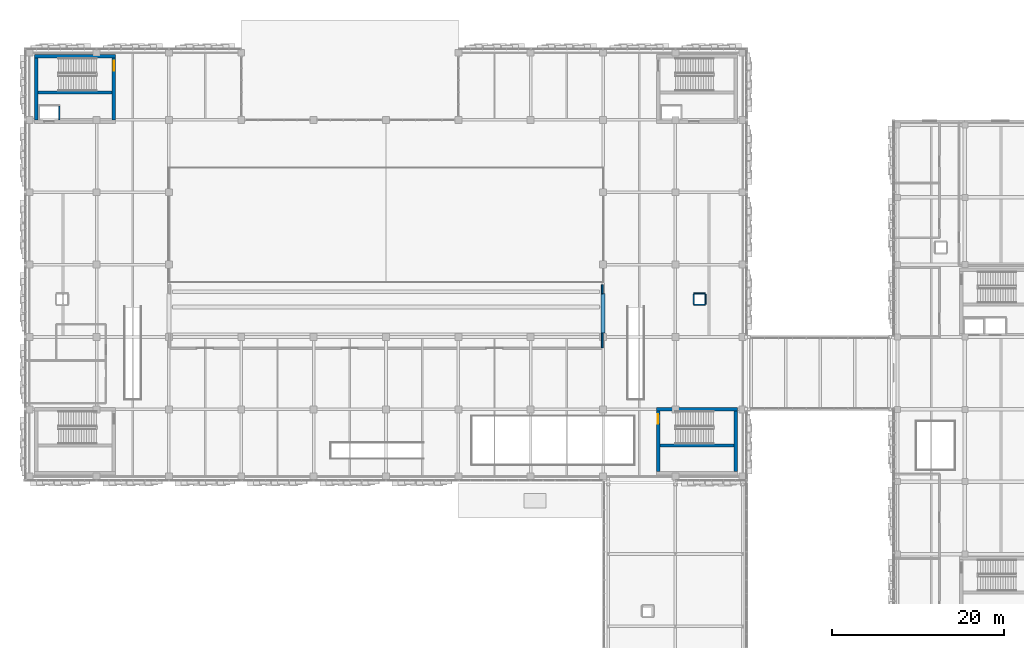
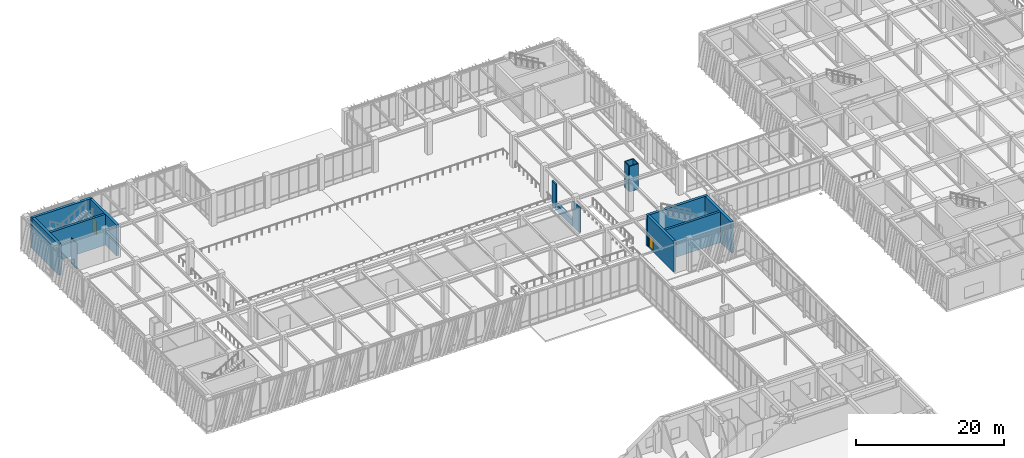
# One storey, part 113 of 139: 16 walls, 2 doors, 2 openings.
"""IFC4 building model written with IfcOpenShell, lengths in metres."""

from ifc_helpers import new_model, si_unit, direction, frame, frame_2d, origin, place, context, subcontext, project, spatial, rectangle, extrude, material, layer, layer_set, type_object, element, fill, save


model = new_model("IFC4")

# Units and contexts
model_context = context("Model", 3, precision=1e-05, world=origin(), true_north=direction((0.0, 1.0)))
body_context = subcontext(model_context, "Body", "Model", "MODEL_VIEW")
ifc_project = project(units=[si_unit("LENGTHUNIT", "METRE"), si_unit("AREAUNIT", "SQUARE_METRE"), si_unit("VOLUMEUNIT", "CUBIC_METRE"), si_unit("PLANEANGLEUNIT", "RADIAN"), si_unit("MASSUNIT", "GRAM", prefix="KILO")], contexts=[model_context])

# Site, building, storey
site_placement = place(None, origin())
site = spatial("IfcSite", under=ifc_project, at=site_placement, CompositionType="ELEMENT")
building_placement = place(site_placement, origin())
building = spatial("IfcBuilding", under=site, at=building_placement, Name="Zayran Congress Hotel", CompositionType="ELEMENT")
storey_placement = place(building_placement, frame((0.0, 0.0, 5.39990234375)))
storey = spatial("IfcBuildingStorey", under=building, at=storey_placement, Name="L01", CompositionType="ELEMENT", Elevation=5.39990234375)

# Walls
ifc_material_1 = material(Name="Concrete C32/40", Category="concrete")
ifc_layer_1 = layer(ifc_material_1, 0.449951171875)
ifc_layer_set_1 = layer_set([ifc_layer_1], Name="Concrete C32/40")
wall_type_1 = type_object("IfcWallType", Name="WL-RT-450", PredefinedType="USERDEFINED", material=ifc_layer_set_1)
wall_1_placement = place(storey_placement, frame((75.60009765625, 84.85009765625, 0.0), z_axis=(0.0, 0.0, 1.0), x_axis=(0.0, 1.0, 0.0)))
element("IfcWall", 1, at=wall_1_placement, inside=storey, type_object=wall_type_1, Name="RKWALL-L01-BAL-SIDE-E", ObjectType="RETAININGWALL", PredefinedType="USERDEFINED", context=body_context, shape_type="SweptSolid", body=[
    extrude(rectangle(XDim=4.56982421875, YDim=0.449951171875, at=frame_2d((2.284912109375, 0.0))), origin(), (0.0, 0.0, 1.0), 1.02001953125),
])
ifc_material_2 = material(Name="Concrete C40/50", Category="concrete")
ifc_layer_2 = layer(ifc_material_2, 0.39990234375)
ifc_layer_set_2 = layer_set([ifc_layer_2], Name="Concrete C40/50")
wall_type_2 = type_object("IfcWallType", Name="WL-SH-400", PredefinedType="SHEAR", material=ifc_layer_set_2)
wall_2_placement = place(storey_placement, frame((19.0, 116.985107421875, 0.0), z_axis=(0.0, 0.0, 1.0), x_axis=(-1.0, 0.0, 0.0)))
element("IfcWall", 2, at=wall_2_placement, inside=storey, type_object=wall_type_2, Name="CWALL-C-V1W-L01-N", PredefinedType="SHEAR", context=body_context, shape_type="SweptSolid", body=[
    extrude(rectangle(XDim=9.39990234375, YDim=0.39990234375, at=frame_2d((4.699951171875, 0.0))), origin(), (0.0, 0.0, 1.0), 5.080078125),
])
wall_3_placement = place(storey_placement, frame((9.800048828125, 116.800048828125, 0.0), z_axis=(0.0, 0.0, 1.0), x_axis=(0.0, -1.0, 0.0)))
element("IfcWall", 3, at=wall_3_placement, inside=storey, type_object=wall_type_2, Name="CWALL-C-V1W-L01-W", PredefinedType="SHEAR", context=body_context, shape_type="SweptSolid", body=[
    extrude(rectangle(XDim=7.199951171875, YDim=0.39990234375, at=frame_2d((3.60009765625, 0.0))), origin(), (0.0, 0.0, 1.0), 5.080078125),
])

# Wall, opening, door
wall_4_placement = place(storey_placement, frame((18.800048828125, 109.60009765625, 0.0), z_axis=(0.0, 0.0, 1.0), x_axis=(0.0, 1.0, 0.0)))
wall_4 = element("IfcWall", 4, at=wall_4_placement, inside=storey, type_object=wall_type_2, Name="CWALL-C-V1W-L01-E", PredefinedType="SHEAR", context=body_context, shape_type="SweptSolid", body=[
    extrude(rectangle(XDim=7.199951171875, YDim=0.39990234375, at=frame_2d((3.60009765625, 0.0))), origin(), (0.0, 0.0, 1.0), 5.080078125),
])
opening_1_placement = place(wall_4_placement, frame((5.699951171875, 0.0, 0.0)))
opening_1 = element("IfcOpeningElement", 5, at=opening_1_placement, cuts=wall_4, Name="Opening DR-FD-90", PredefinedType="OPENING", context=body_context, shape_type="SweptSolid", body=[
    extrude(rectangle(XDim=1.14990234375, YDim=2.199951171875, at=frame_2d((0.574951171875, 1.10009765625))), frame((0.0, 0.2099609375, 0.0), z_axis=(0.0, -1.0, 0.0), x_axis=(1.0, 0.0, 0.0)), (0.0, 0.0, 1.0), 0.419921875),
])
ifc_material_3 = material(Name="Painted steel fire door assembly", Category="steel")
door_type = type_object("IfcDoorType", Name="TP-DR-FD-90", OperationType="NOTDEFINED", PredefinedType="DOOR", material=ifc_material_3)
door_1_placement = place(opening_1_placement, origin())
door_1 = element("IfcDoor", 6, at=door_1_placement, inside=storey, type_object=door_type, Name="ST-03 Exit Stair Door L01", OperationType="SINGLE_SWING_RIGHT", OverallHeight=2.199951171875, OverallWidth=1.14990234375, PredefinedType="DOOR", context=body_context, shape_type="SweptSolid", body=[
    extrude(rectangle(XDim=1.14990234375, YDim=2.199951171875, at=frame_2d((0.574951171875, 1.10009765625))), frame((0.0, 0.02490234375, 0.0), z_axis=(0.0, -1.0, 0.0), x_axis=(1.0, 0.0, 0.0)), (0.0, 0.0, 1.0), 0.050048828125),
])
fill(opening_1, door_1)

# Wall
wall_5_placement = place(storey_placement, frame((91.199951171875, 75.985107421875, 0.0), z_axis=(0.0, 0.0, 1.0), x_axis=(-1.0, 0.0, 0.0)))
element("IfcWall", 7, at=wall_5_placement, inside=storey, type_object=wall_type_2, Name="CWALL-C-V1F-L01-N", PredefinedType="SHEAR", context=body_context, shape_type="SweptSolid", body=[
    extrude(rectangle(XDim=9.39990234375, YDim=0.39990234375, at=frame_2d((4.699951171875, 0.0))), origin(), (0.0, 0.0, 1.0), 5.080078125),
])

# Wall, opening, door
wall_6_placement = place(storey_placement, frame((82.0, 75.800048828125, 0.0), z_axis=(0.0, 0.0, 1.0), x_axis=(0.0, -1.0, 0.0)))
wall_6 = element("IfcWall", 8, at=wall_6_placement, inside=storey, type_object=wall_type_2, Name="CWALL-C-V1F-L01-W", PredefinedType="SHEAR", context=body_context, shape_type="SweptSolid", body=[
    extrude(rectangle(XDim=7.0, YDim=0.39990234375, at=frame_2d((3.5, 0.0))), origin(), (0.0, 0.0, 1.0), 5.080078125),
])
opening_2_placement = place(wall_6_placement, frame((0.35009765625, 0.0, 0.0)))
opening_2 = element("IfcOpeningElement", 9, at=opening_2_placement, cuts=wall_6, Name="Opening DR-FD-90", PredefinedType="OPENING", context=body_context, shape_type="SweptSolid", body=[
    extrude(rectangle(XDim=1.14990234375, YDim=2.199951171875, at=frame_2d((0.574951171875, 1.10009765625))), frame((0.0, 0.2099609375, 0.0), z_axis=(0.0, -1.0, 0.0), x_axis=(1.0, 0.0, 0.0)), (0.0, 0.0, 1.0), 0.419921875),
])
door_2_placement = place(opening_2_placement, origin())
door_2 = element("IfcDoor", 10, at=door_2_placement, inside=storey, type_object=door_type, Name="ST-06 Exit Stair Door L01", OperationType="SINGLE_SWING_LEFT", OverallHeight=2.199951171875, OverallWidth=1.14990234375, PredefinedType="DOOR", context=body_context, shape_type="SweptSolid", body=[
    extrude(rectangle(XDim=1.14990234375, YDim=2.199951171875, at=frame_2d((0.574951171875, 1.10009765625))), frame((0.0, 0.02490234375, 0.0), z_axis=(0.0, -1.0, 0.0), x_axis=(1.0, 0.0, 0.0)), (0.0, 0.0, 1.0), 0.050048828125),
])
fill(opening_2, door_2)

# Walls
wall_7_placement = place(storey_placement, frame((91.0, 68.800048828125, 0.0), z_axis=(0.0, 0.0, 1.0), x_axis=(0.0, 1.0, 0.0)))
element("IfcWall", 11, at=wall_7_placement, inside=storey, type_object=wall_type_2, Name="CWALL-C-V1F-L01-E", PredefinedType="SHEAR", context=body_context, shape_type="SweptSolid", body=[
    extrude(rectangle(XDim=7.0, YDim=0.39990234375, at=frame_2d((3.5, 0.0))), origin(), (0.0, 0.0, 1.0), 5.080078125),
])
ifc_layer_3 = layer(ifc_material_2, 0.35009765625)
ifc_layer_set_3 = layer_set([ifc_layer_3], Name="Concrete C40/50")
wall_type_3 = type_object("IfcWallType", Name="WL-SH-350", PredefinedType="SHEAR", material=ifc_layer_set_3)
for number, where, z_axis, x_axis, name in (
    (12, (10.0, 112.784912109375, 0.0), (0.0, 0.0, 1.0), (1.0, 0.0, 0.0), "CWALL-C-V1W-L01-SPN"),
    (13, (82.199951171875, 71.784912109375, 0.0), (0.0, 0.0, 1.0), (1.0, 0.0, 0.0), "CWALL-C-V1F-L01-SPN"),
):
    element("IfcWall", number, at=place(storey_placement, frame(where, z_axis=z_axis, x_axis=x_axis)), inside=storey, type_object=wall_type_3, Name=name, PredefinedType="SHEAR", context=body_context, shape_type="SweptSolid", body=[
        extrude(rectangle(XDim=8.60009765625, YDim=0.35009765625, at=frame_2d((4.300048828125, 0.0))), origin(), (0.0, 0.0, 1.0), 5.080078125),
    ])
ifc_material_4 = material(Name="Concrete C32/40 acoustic masonry", Category="masonry")
ifc_layer_4 = layer(ifc_material_4, 0.199951171875)
ifc_layer_set_4 = layer_set([ifc_layer_4], Name="Concrete C32/40 acoustic masonry")
wall_type_4 = type_object("IfcWallType", Name="WL-SL-200", PredefinedType="SOLIDWALL", material=ifc_layer_set_4)
wall_8_placement = place(storey_placement, frame((75.5, 83.1201171875, 0.0), z_axis=(0.0, 0.0, 1.0), x_axis=(0.0, 1.0, 0.0)))
element("IfcWall", 14, at=wall_8_placement, inside=storey, type_object=wall_type_4, Name="IW-L01-1694", PredefinedType="SOLIDWALL", context=body_context, shape_type="SweptSolid", body=[
    extrude(rectangle(XDim=1.72998046875, YDim=0.199951171875, at=frame_2d((0.864990234375, 0.0))), origin(), (0.0, 0.0, 1.0), 4.18017578125),
])
wall_9_placement = place(storey_placement, frame((75.5, 89.419921875, 0.0), z_axis=(0.0, 0.0, 1.0), x_axis=(0.0, 1.0, 0.0)))
element("IfcWall", 15, at=wall_9_placement, inside=storey, type_object=wall_type_4, Name="IW-L01-1695", PredefinedType="SOLIDWALL", context=body_context, shape_type="SweptSolid", body=[
    extrude(rectangle(XDim=1.06005859375, YDim=0.199951171875, at=frame_2d((0.530029296875, 0.0))), origin(), (0.0, 0.0, 1.0), 4.18017578125),
])
ifc_material_5 = material(Name="Hospitality guestroom acoustic partition", Category="gypsum")
ifc_layer_5 = layer(ifc_material_5, 0.139892578125)
ifc_layer_set_5 = layer_set([ifc_layer_5], Name="Hospitality guestroom acoustic partition")
wall_type_5 = type_object("IfcWallType", Name="WL-PT-140", PredefinedType="PARTITIONING", material=ifc_layer_set_5)
wall_10_placement = place(storey_placement, frame((12.469970703125, 109.60009765625, 0.0), z_axis=(0.0, 0.0, 1.0), x_axis=(0.0, 1.0, 0.0)))
element("IfcWall", 16, at=wall_10_placement, inside=storey, type_object=wall_type_5, Name="LSHW-C-V1W-L01-E", PredefinedType="PARTITIONING", context=body_context, shape_type="SweptSolid", body=[
    extrude(rectangle(XDim=1.599853515625, YDim=0.139892578125, at=frame_2d((0.7998046875, 0.0))), origin(), (0.0, 0.0, 1.0), 4.22998046875),
])
for number, where, z_axis, x_axis, name in (
    (17, (86.1298828125, 88.1298828125, 0.0), (0.0, 0.0, 1.0), (1.0, 0.0, 0.0), "RSWL-V1-L01-004-S"),
    (18, (87.489990234375, 89.449951171875, 0.0), (0.0, 0.0, 1.0), (-1.0, 0.0, 0.0), "RSWL-V1-L01-004-N"),
):
    element("IfcWall", number, at=place(storey_placement, frame(where, z_axis=z_axis, x_axis=x_axis)), inside=storey, type_object=wall_type_5, Name=name, PredefinedType="PARTITIONING", context=body_context, shape_type="SweptSolid", body=[
        extrude(rectangle(XDim=1.360107421875, YDim=0.139892578125, at=frame_2d((0.68017578125, 0.0))), origin(), (0.0, 0.0, 1.0), 4.2001953125),
    ])
for number, where, z_axis, x_axis, name in (
    (19, (86.1298828125, 89.3798828125, 0.0), (0.0, 0.0, 1.0), (0.0, -1.0, 0.0), "RSWL-V1-L01-004-W"),
    (20, (87.489990234375, 88.199951171875, 0.0), (0.0, 0.0, 1.0), (0.0, 1.0, 0.0), "RSWL-V1-L01-004-E"),
):
    element("IfcWall", number, at=place(storey_placement, frame(where, z_axis=z_axis, x_axis=x_axis)), inside=storey, type_object=wall_type_5, Name=name, PredefinedType="PARTITIONING", context=body_context, shape_type="SweptSolid", body=[
        extrude(rectangle(XDim=1.179931640625, YDim=0.139892578125, at=frame_2d((0.58984375, 0.0))), origin(), (0.0, 0.0, 1.0), 4.2001953125),
    ])

save(model, "model.ifc")
